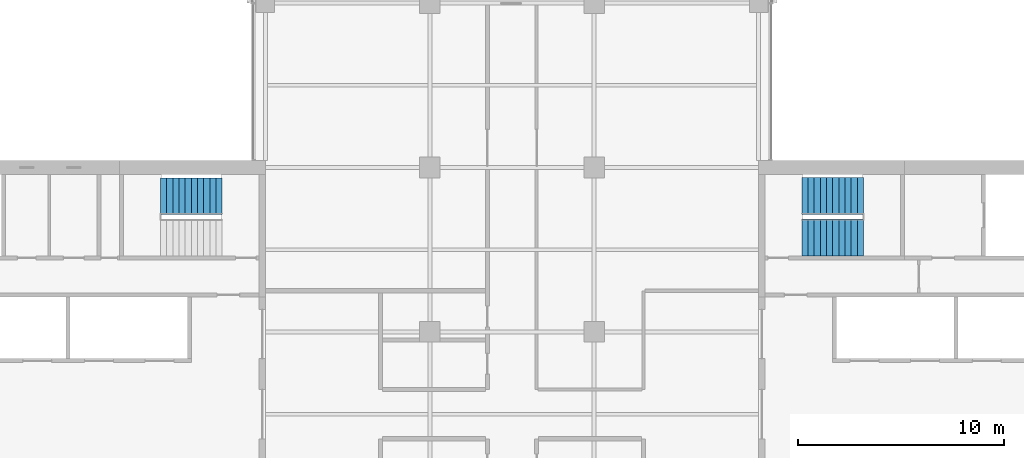
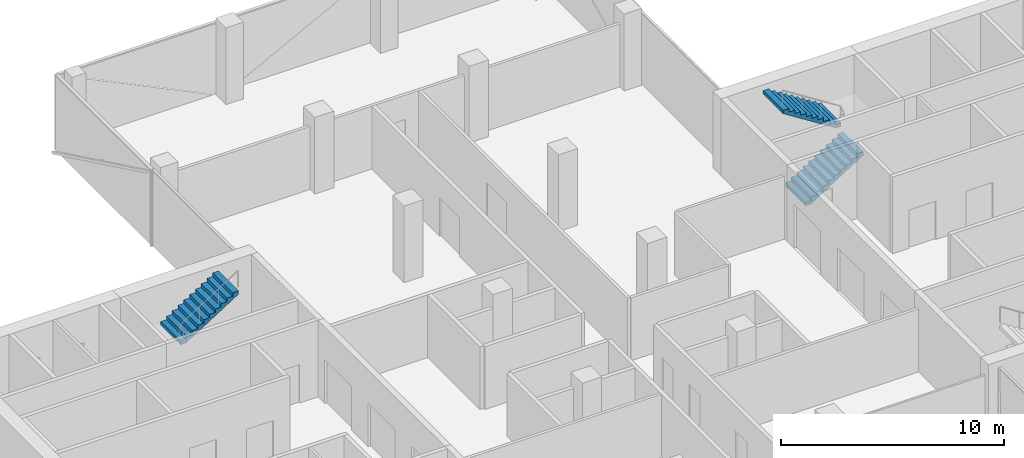
# One storey, part 17 of 22: 3 stair flights, 2 elements without a shape of their own.
"""IFC4 building model written with IfcOpenShell, lengths in metres."""

from ifc_helpers import new_model, si_unit, direction, frame, origin, place, context, subcontext, project, spatial, polyline, outline, extrude, material, type_object, element, aggregate, save


model = new_model("IFC4")

# Units and contexts
model_context = context("Model", 3, precision=1e-05, world=origin(), true_north=direction((0.0, 1.0)))
body_context = subcontext(model_context, "Body", "Model", "MODEL_VIEW")
ifc_project = project(units=[si_unit("LENGTHUNIT", "METRE"), si_unit("AREAUNIT", "SQUARE_METRE"), si_unit("VOLUMEUNIT", "CUBIC_METRE"), si_unit("PLANEANGLEUNIT", "RADIAN"), si_unit("MASSUNIT", "GRAM", prefix="KILO")], contexts=[model_context])

# Site, building, storey
site_placement = place(None, origin())
site = spatial("IfcSite", under=ifc_project, at=site_placement, CompositionType="ELEMENT")
building_placement = place(site_placement, origin())
building = spatial("IfcBuilding", under=site, at=building_placement, Name="Crosswind Convention Tower", CompositionType="ELEMENT")
storey_placement = place(building_placement, frame((0.0, 0.0, 121.10009765625)))
storey = spatial("IfcBuildingStorey", under=building, at=storey_placement, Name="L24", CompositionType="ELEMENT", Elevation=121.10009765625)

# Stair, stair flights
ifc_material = material(Name="Concrete C40/50", Category="concrete")
stair_type = type_object("IfcStairType", Name="Exit stair 1800 wide, 2 flights of 11 risers", PredefinedType="HALF_TURN_STAIR", material=ifc_material)
stair_1_placement = place(storey_placement, origin())
stair_1 = element("IfcStair", 1, at=stair_1_placement, inside=storey, type_object=stair_type, Name="Exit stair ST1 L24", ObjectType="ST5", PredefinedType="HALF_TURN_STAIR")
stair_flight_type = type_object("IfcStairFlightType", Name="Stair flight 1800 wide, 11 risers (SF4)", PredefinedType="STRAIGHT", material=ifc_material)
stair_flight_1_placement = place(storey_placement, frame((139.10009765625, 108.60009765625, 0.0), z_axis=(0.0, 0.0, 1.0), x_axis=(1.0, 0.0, 0.0)))
stair_flight_1 = element("IfcStairFlight", 2, at=stair_flight_1_placement, type_object=stair_flight_type, Name="ST1 flight 1", NumberOfRisers=11, NumberOfTreads=10, PredefinedType="STRAIGHT", RiserHeight=0.190909091, TreadLength=0.3, context=body_context, shape_type="SweptSolid", body=[
    extrude(outline(polyline([(0.0, 0.0), (0.0, 0.19091796875), (0.300048828125, 0.19091796875), (0.300048828125, 0.3818359375), (0.60009765625, 0.3818359375), (0.60009765625, 0.57275390625), (0.89990234375, 0.57275390625), (0.89990234375, 0.763671875), (1.199951171875, 0.763671875), (1.199951171875, 0.95458984375), (1.5, 0.95458984375), (1.5, 1.1455078125), (1.800048828125, 1.1455078125), (1.800048828125, 1.33642578125), (2.10009765625, 1.33642578125), (2.10009765625, 1.52734375), (2.39990234375, 1.52734375), (2.39990234375, 1.71826171875), (2.699951171875, 1.71826171875), (2.699951171875, 1.9091796875), (3.0, 1.9091796875), (3.0, 2.10009765625), (3.0, 1.7314453125), (0.279296875, 0.0), (0.0, 0.0)])), frame((0.0, 0.89990234375, 0.0), z_axis=(0.0, -1.0, 0.0), x_axis=(1.0, 0.0, 0.0)), (0.0, 0.0, 1.0), 1.800048828125),
])
stair_flight_2_placement = place(storey_placement, frame((142.10009765625, 110.60009765625, 2.099853515625), z_axis=(0.0, 0.0, 1.0), x_axis=(-1.0, 0.0, 0.0)))
stair_flight_2 = element("IfcStairFlight", 3, at=stair_flight_2_placement, type_object=stair_flight_type, Name="ST1 flight 2", NumberOfRisers=11, NumberOfTreads=10, PredefinedType="STRAIGHT", RiserHeight=0.190909091, TreadLength=0.3, context=body_context, shape_type="SweptSolid", body=[
    extrude(outline(polyline([(0.0, 0.0), (0.0, 0.19091796875), (0.300048828125, 0.19091796875), (0.300048828125, 0.3818359375), (0.60009765625, 0.3818359375), (0.60009765625, 0.57275390625), (0.89990234375, 0.57275390625), (0.89990234375, 0.763671875), (1.199951171875, 0.763671875), (1.199951171875, 0.95458984375), (1.5, 0.95458984375), (1.5, 1.1455078125), (1.800048828125, 1.1455078125), (1.800048828125, 1.33642578125), (2.10009765625, 1.33642578125), (2.10009765625, 1.52734375), (2.39990234375, 1.52734375), (2.39990234375, 1.71826171875), (2.699951171875, 1.71826171875), (2.699951171875, 1.9091796875), (3.0, 1.9091796875), (3.0, 2.10009765625), (3.0, 1.7314453125), (0.279296875, 0.0), (0.0, 0.0)])), frame((0.0, 0.89990234375, 0.0), z_axis=(0.0, -1.0, 0.0), x_axis=(1.0, 0.0, 0.0)), (0.0, 0.0, 1.0), 1.800048828125),
])
aggregate(stair_1, [stair_flight_1, stair_flight_2])

# Stair, stair flight
stair_2_placement = place(storey_placement, origin())
stair_2 = element("IfcStair", 4, at=stair_2_placement, inside=storey, type_object=stair_type, Name="Exit stair ST4 L24", ObjectType="ST5", PredefinedType="HALF_TURN_STAIR")
stair_flight_3_placement = place(storey_placement, frame((107.89990234375, 110.60009765625, 2.099853515625), z_axis=(0.0, 0.0, 1.0), x_axis=(1.0, 0.0, 0.0)))
stair_flight_3 = element("IfcStairFlight", 5, at=stair_flight_3_placement, type_object=stair_flight_type, Name="ST4 flight 2", NumberOfRisers=11, NumberOfTreads=10, PredefinedType="STRAIGHT", RiserHeight=0.190909091, TreadLength=0.3, context=body_context, shape_type="SweptSolid", body=[
    extrude(outline(polyline([(0.0, 0.0), (0.0, 0.19091796875), (0.300048828125, 0.19091796875), (0.300048828125, 0.3818359375), (0.60009765625, 0.3818359375), (0.60009765625, 0.57275390625), (0.89990234375, 0.57275390625), (0.89990234375, 0.763671875), (1.199951171875, 0.763671875), (1.199951171875, 0.95458984375), (1.5, 0.95458984375), (1.5, 1.1455078125), (1.800048828125, 1.1455078125), (1.800048828125, 1.33642578125), (2.10009765625, 1.33642578125), (2.10009765625, 1.52734375), (2.39990234375, 1.52734375), (2.39990234375, 1.71826171875), (2.699951171875, 1.71826171875), (2.699951171875, 1.9091796875), (3.0, 1.9091796875), (3.0, 2.10009765625), (3.0, 1.7314453125), (0.279296875, 0.0), (0.0, 0.0)])), frame((0.0, 0.89990234375, 0.0), z_axis=(0.0, -1.0, 0.0), x_axis=(1.0, 0.0, 0.0)), (0.0, 0.0, 1.0), 1.800048828125),
])
aggregate(stair_2, [stair_flight_3])

save(model, "model.ifc")
